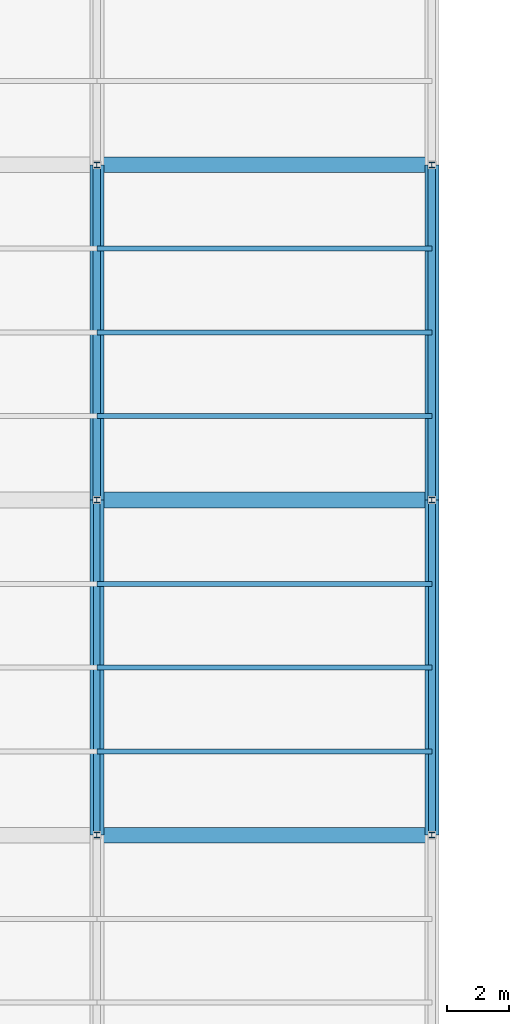
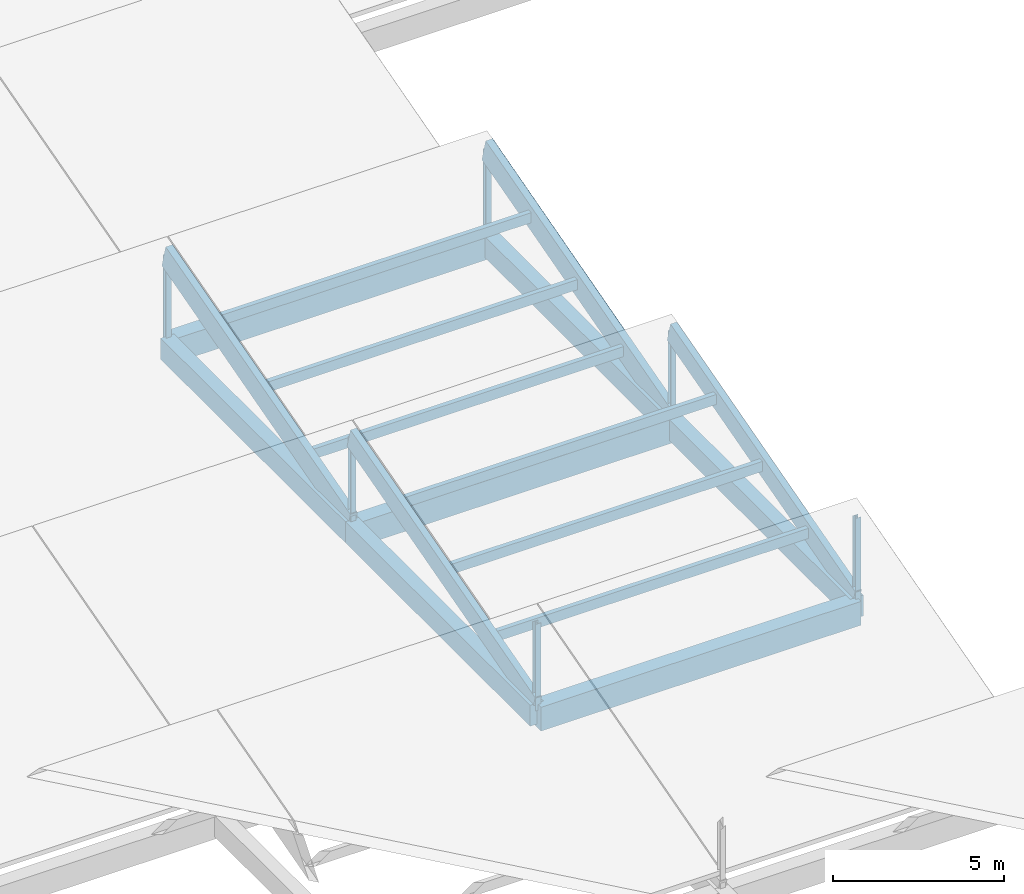
# One storey, part 16 of 112: 16 members, 7 beams.
"""IFC4 building model written with IfcOpenShell, lengths in metres."""

from ifc_helpers import new_model, si_unit, direction, frame, origin, origin_2d, place, context, subcontext, project, spatial, rectangle, i_section, extrude, material, material_profile, profile_set, type_object, element, save


model = new_model("IFC4")

# Units and contexts
model_context = context("Model", 3, precision=1e-05, world=origin(), true_north=direction((0.0, 1.0)))
body_context = subcontext(model_context, "Body", "Model", "MODEL_VIEW")
ifc_project = project(units=[si_unit("LENGTHUNIT", "METRE"), si_unit("AREAUNIT", "SQUARE_METRE"), si_unit("VOLUMEUNIT", "CUBIC_METRE"), si_unit("PLANEANGLEUNIT", "RADIAN"), si_unit("MASSUNIT", "GRAM", prefix="KILO")], contexts=[model_context])

# Site, building, storey
site_placement = place(None, origin())
site = spatial("IfcSite", under=ifc_project, at=site_placement, CompositionType="ELEMENT")
building_placement = place(site_placement, origin())
building = spatial("IfcBuilding", under=site, at=building_placement, Name="Zwinboog Wholesale Market", CompositionType="ELEMENT")
storey_placement = place(building_placement, frame((0.0, 0.0, 19.080078125)))
storey = spatial("IfcBuildingStorey", under=building, at=storey_placement, Name="Roof", CompositionType="ELEMENT", Elevation=19.080078125)

# Beams
ifc_material_1 = material(Name="Precast concrete C45/55", Category="concrete")
ifc_material_profile_1 = material_profile(ifc_material_1, rectangle(XDim=0.5, YDim=0.85009765625, at=origin_2d()), Name="PC 500x850")
ifc_profile_set_1 = profile_set([ifc_material_profile_1], Name="Precast concrete C45/55")
beam_type_1 = type_object("IfcBeamType", Name="BT-03", PredefinedType="BEAM", material=ifc_profile_set_1)
for number, where, z_axis, x_axis, name in (
    (1, (32.39990234375, 32.39990234375, -9.425048828125), (1.0, 0.0, 0.0), (0.0, 1.0, 0.0), "BG-03 (BMG-Roof-0324-0324-1162)"),
    (2, (32.39990234375, 43.199951171875, -9.425048828125), (1.0, 0.0, 0.0), (0.0, 1.0, 0.0), "BG-03 (BMG-Roof-0324-0432-1166)"),
    (3, (32.39990234375, 54.0, -9.425048828125), (1.0, 0.0, 0.0), (0.0, 1.0, 0.0), "BG-03 (BMG-Roof-0324-0540-1170)"),
):
    element("IfcBeam", number, at=place(storey_placement, frame(where, z_axis=z_axis, x_axis=x_axis)), inside=storey, type_object=beam_type_1, Name=name, PredefinedType="BEAM", context=body_context, shape_type="SweptSolid", body=[
        extrude(rectangle(XDim=0.5, YDim=0.85009765625, at=origin_2d()), origin(), (0.0, 0.0, 1.0), 10.800048828125),
    ])
ifc_material_profile_2 = material_profile(ifc_material_1, rectangle(XDim=0.449951171875, YDim=0.75, at=origin_2d()), Name="PC 450x750")
ifc_profile_set_2 = profile_set([ifc_material_profile_2], Name="Precast concrete C45/55")
beam_type_2 = type_object("IfcBeamType", Name="BT-04", PredefinedType="BEAM", material=ifc_profile_set_2)
for number, where, z_axis, x_axis, name in (
    (4, (32.39990234375, 32.39990234375, -9.375), (0.0, 1.0, 0.0), (-1.0, 0.0, 0.0), "BG-04 (BMG-Roof-0324-0324-1234)"),
    (5, (32.39990234375, 43.199951171875, -9.375), (0.0, 1.0, 0.0), (-1.0, 0.0, 0.0), "BG-04 (BMG-Roof-0324-0432-1235)"),
    (6, (43.199951171875, 32.39990234375, -9.375), (0.0, 1.0, 0.0), (-1.0, 0.0, 0.0), "BG-04 (BMG-Roof-0432-0324-1244)"),
    (7, (43.199951171875, 43.199951171875, -9.375), (0.0, 1.0, 0.0), (-1.0, 0.0, 0.0), "BG-04 (BMG-Roof-0432-0432-1245)"),
):
    element("IfcBeam", number, at=place(storey_placement, frame(where, z_axis=z_axis, x_axis=x_axis)), inside=storey, type_object=beam_type_2, Name=name, PredefinedType="BEAM", context=body_context, shape_type="SweptSolid", body=[
        extrude(rectangle(XDim=0.449951171875, YDim=0.75, at=origin_2d()), origin(), (0.0, 0.0, 1.0), 10.800048828125),
    ])

# Members
ifc_material_2 = material(Name="Steel S355", Category="steel")
ifc_material_profile_3 = material_profile(ifc_material_2, i_section(OverallWidth=0.179931640625, OverallDepth=0.1708984375, WebThickness=0.006103515625, FlangeThickness=0.009521484375, FilletRadius=0.014892578125, at=origin_2d()), Name="HEA 180")
ifc_profile_set_3 = profile_set([ifc_material_profile_3], Name="Steel S355")
member_type_1 = type_object("IfcMemberType", Name="MT-07", PredefinedType="BRACE", material=ifc_profile_set_3)
for number, where, z_axis, x_axis, name in (
    (8, (32.39990234375, 32.39990234375, -9.2001953125), (0.0, 0.0, 1.0), (1.0, 0.0, 0.0), "DB-04 (MEM-Roof-0714)"),
    (9, (43.199951171875, 32.39990234375, -9.2001953125), (0.0, 0.0, 1.0), (1.0, 0.0, 0.0), "DB-04 (MEM-Roof-0716)"),
):
    element("IfcMember", number, at=place(storey_placement, frame(where, z_axis=z_axis, x_axis=x_axis)), inside=storey, type_object=member_type_1, Name=name, PredefinedType="BRACE", context=body_context, shape_type="SweptSolid", body=[
        extrude(i_section(OverallWidth=0.179931640625, OverallDepth=0.1708984375, WebThickness=0.006103515625, FlangeThickness=0.009521484375, FilletRadius=0.014892578125, at=origin_2d()), origin(), (0.0, 0.0, 1.0), 3.0869140625),
    ])
for number, where, z_axis, x_axis, name in (
    (10, (32.39990234375, 43.199951171875, -9.2001953125), (0.0, 0.0, 1.0), (1.0, 0.0, 0.0), "DB-04 (MEM-Roof-0732)"),
    (11, (43.199951171875, 43.199951171875, -9.2001953125), (0.0, 0.0, 1.0), (1.0, 0.0, 0.0), "DB-04 (MEM-Roof-0734)"),
):
    element("IfcMember", number, at=place(storey_placement, frame(where, z_axis=z_axis, x_axis=x_axis)), inside=storey, type_object=member_type_1, Name=name, PredefinedType="BRACE", context=body_context, shape_type="SweptSolid", body=[
        extrude(i_section(OverallWidth=0.179931640625, OverallDepth=0.1708984375, WebThickness=0.006103515625, FlangeThickness=0.009521484375, FilletRadius=0.014892578125, at=origin_2d()), origin(), (0.0, 0.0, 1.0), 3.14697265625),
    ])
for number, where, z_axis, x_axis, name in (
    (12, (32.39990234375, 54.0, -9.2001953125), (0.0, 0.0, 1.0), (1.0, 0.0, 0.0), "DB-04 (MEM-Roof-0750)"),
    (13, (43.199951171875, 54.0, -9.2001953125), (0.0, 0.0, 1.0), (1.0, 0.0, 0.0), "DB-04 (MEM-Roof-0752)"),
):
    element("IfcMember", number, at=place(storey_placement, frame(where, z_axis=z_axis, x_axis=x_axis)), inside=storey, type_object=member_type_1, Name=name, PredefinedType="BRACE", context=body_context, shape_type="SweptSolid", body=[
        extrude(i_section(OverallWidth=0.179931640625, OverallDepth=0.1708984375, WebThickness=0.006103515625, FlangeThickness=0.009521484375, FilletRadius=0.014892578125, at=origin_2d()), origin(), (0.0, 0.0, 1.0), 3.0869140625),
    ])
ifc_material_3 = material(Name="Glulam GL28h", Category="wood")
ifc_material_profile_4 = material_profile(ifc_material_3, rectangle(XDim=0.239990234375, YDim=0.840087890625, at=origin_2d()), Name="GL28h 240x840")
ifc_profile_set_4 = profile_set([ifc_material_profile_4], Name="Glulam GL28h")
member_type_2 = type_object("IfcMemberType", Name="MT-09", PredefinedType="RAFTER", material=ifc_profile_set_4)
for number, where, z_axis, x_axis, name in (
    (14, (32.39990234375, 43.199951171875, -9.11328125), (0.0, 0.963518221675, 0.26764274042), (-1.0, 0.0, 0.0), "GR-01 (MEM-Roof-0751)"),
    (15, (43.199951171875, 43.199951171875, -9.11328125), (0.0, 0.963518221675, 0.26764274042), (-1.0, 0.0, 0.0), "GR-01 (MEM-Roof-0753)"),
):
    element("IfcMember", number, at=place(storey_placement, frame(where, z_axis=z_axis, x_axis=x_axis)), inside=storey, type_object=member_type_2, Name=name, PredefinedType="RAFTER", context=body_context, shape_type="SweptSolid", body=[
        extrude(rectangle(XDim=0.239990234375, YDim=0.840087890625, at=origin_2d()), origin(), (0.0, 0.0, 1.0), 11.208984375),
    ])
ifc_material_profile_5 = material_profile(ifc_material_3, rectangle(XDim=0.219970703125, YDim=0.719970703125, at=origin_2d()), Name="GL28h 220x720")
ifc_profile_set_5 = profile_set([ifc_material_profile_5], Name="Glulam GL28h")
member_type_3 = type_object("IfcMemberType", Name="MT-10", PredefinedType="RAFTER", material=ifc_profile_set_5)
for number, where, z_axis, x_axis, name in (
    (16, (32.39990234375, 32.39990234375, -9.05322265625), (0.0, 0.963518221675, 0.26764274042), (-1.0, 0.0, 0.0), "GR-02 (MEM-Roof-0733)"),
    (17, (43.199951171875, 32.39990234375, -9.05322265625), (0.0, 0.963518221675, 0.26764274042), (-1.0, 0.0, 0.0), "GR-02 (MEM-Roof-0735)"),
):
    element("IfcMember", number, at=place(storey_placement, frame(where, z_axis=z_axis, x_axis=x_axis)), inside=storey, type_object=member_type_3, Name=name, PredefinedType="RAFTER", context=body_context, shape_type="SweptSolid", body=[
        extrude(rectangle(XDim=0.219970703125, YDim=0.719970703125, at=origin_2d()), origin(), (0.0, 0.0, 1.0), 11.208984375),
    ])
ifc_material_profile_6 = material_profile(ifc_material_3, rectangle(XDim=0.159912109375, YDim=0.360107421875, at=origin_2d()), Name="GL28h 160x360")
ifc_profile_set_6 = profile_set([ifc_material_profile_6], Name="Glulam GL28h")
member_type_4 = type_object("IfcMemberType", Name="MT-12", PredefinedType="PURLIN", material=ifc_profile_set_6)
for number, where, z_axis, x_axis, name in (
    (18, (32.39990234375, 35.10009765625, -8.273193359375), (1.0, 0.0, 0.0), (0.0, 1.0, 0.0), "GP-01 (MEM-Roof-0736)"),
    (19, (32.39990234375, 40.5, -6.773193359375), (1.0, 0.0, 0.0), (0.0, 1.0, 0.0), "GP-01 (MEM-Roof-0737)"),
    (20, (32.39990234375, 45.89990234375, -8.333251953125), (1.0, 0.0, 0.0), (0.0, 1.0, 0.0), "GP-01 (MEM-Roof-0754)"),
    (21, (32.39990234375, 51.300048828125, -6.833251953125), (1.0, 0.0, 0.0), (0.0, 1.0, 0.0), "GP-01 (MEM-Roof-0755)"),
    (22, (32.39990234375, 37.800048828125, -7.523193359375), (1.0, 0.0, 0.0), (0.0, 1.0, 0.0), "GP-01 (MEM-PRL-Roof-0016)"),
    (23, (32.39990234375, 48.60009765625, -7.583251953125), (1.0, 0.0, 0.0), (0.0, 1.0, 0.0), "GP-01 (MEM-PRL-Roof-0020)"),
):
    element("IfcMember", number, at=place(storey_placement, frame(where, z_axis=z_axis, x_axis=x_axis)), inside=storey, type_object=member_type_4, Name=name, PredefinedType="PURLIN", context=body_context, shape_type="SweptSolid", body=[
        extrude(rectangle(XDim=0.159912109375, YDim=0.360107421875, at=origin_2d()), origin(), (0.0, 0.0, 1.0), 10.800048828125),
    ])

save(model, "model.ifc")
